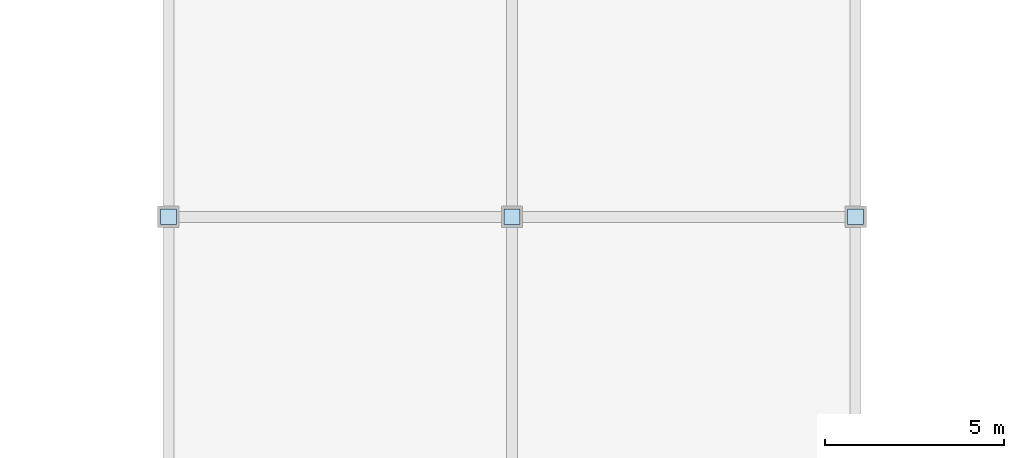
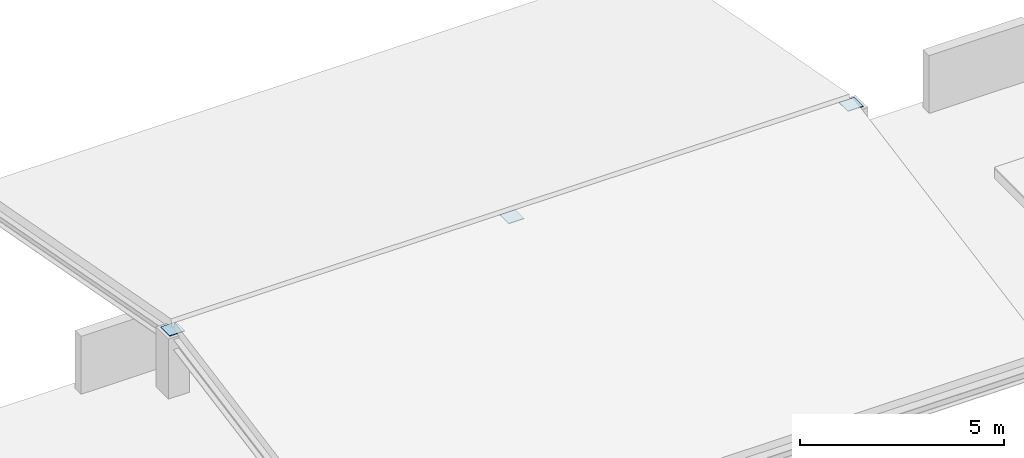
# One storey, part 49 of 70: 3 plates.
"""IFC4 building model written with IfcOpenShell, lengths in metres."""

import ifcopenshell
import ifcopenshell.guid

model = None  # the IFC model being written
_history = None  # IfcOwnerHistory: only IFC2X3 demands one
_inside = {}  # id of a spatial element -> (the spatial element, [elements in it])
_under = {}  # id of a project, library or spatial element -> (it, [spatial elements below it])
_declared = {}  # id of a project -> (the project, [libraries it declares])
_typed = {}  # id of a type object -> (the type object, [elements of that type])
_made_of = {}  # id of a material, layer set ... -> (it, [elements and type objects made of it])


def new_model(schema):
    """Start an empty IFC model of exactly this schema.

    Asked for "IFC4X3", IfcOpenShell would pick the latest addendum, in which some entities
    have other attributes; the version numbers below select the first issue.
    IFC2X3 requires an IfcOwnerHistory on every rooted entity: one is made here for all.
    """
    global model, _history
    if schema == "IFC4X3":
        model = ifcopenshell.file(schema_version=(4, 3, 0, 0))
    else:
        model = ifcopenshell.file(schema=schema)
    _inside.clear()
    _under.clear()
    _declared.clear()
    _typed.clear()
    _made_of.clear()
    _history = None
    if model.schema == "IFC2X3":
        org = make("IfcOrganization", Name="unknown")
        user = make(
            "IfcPersonAndOrganization",
            ThePerson=make("IfcPerson", FamilyName="unknown"),
            TheOrganization=org,
        )
        app = make(
            "IfcApplication",
            ApplicationDeveloper=org,
            Version="unknown",
            ApplicationFullName="unknown",
            ApplicationIdentifier="unknown",
        )
        _history = make(
            "IfcOwnerHistory",
            OwningUser=user,
            OwningApplication=app,
            ChangeAction="ADDED",
            CreationDate=0,
        )
    return model


def make(cls, **values):
    """One entity of the class cls with the attributes given. An attribute that is None is left unset."""
    return model.create_entity(
        cls, **{name: value for name, value in values.items() if value is not None}
    )


def rooted(cls, **values):
    """An entity with a GlobalId (a new one), such as an element, a storey or a relation."""
    return make(cls, GlobalId=ifcopenshell.guid.new(), OwnerHistory=_history, **values)


def si_unit(unit_type, name, prefix=None):
    """IfcSIUnit, for example si_unit("LENGTHUNIT", "METRE", prefix="MILLI")."""
    return make("IfcSIUnit", UnitType=unit_type, Prefix=prefix, Name=name)


def assignment(units):
    """IfcUnitAssignment: the units of a project."""
    return None if units is None else make("IfcUnitAssignment", Units=units)


def point(xyz):
    """IfcCartesianPoint."""
    return None if xyz is None else make("IfcCartesianPoint", Coordinates=xyz)


def direction(xyz):
    """IfcDirection."""
    return None if xyz is None else make("IfcDirection", DirectionRatios=xyz)


def frame(location, z_axis=None, x_axis=None):
    """IfcAxis2Placement3D, a coordinate frame: its origin and axes. An axis left out is left unset."""
    return make(
        "IfcAxis2Placement3D",
        Location=point(location),
        Axis=direction(z_axis),
        RefDirection=direction(x_axis),
    )


def frame_2d(location, x_axis=None):
    """IfcAxis2Placement2D, a coordinate frame in the plane: its origin and x axis."""
    return make(
        "IfcAxis2Placement2D", Location=point(location), RefDirection=direction(x_axis)
    )


def origin():
    """The frame at (0, 0, 0) with its axes left unset."""
    return frame((0.0, 0.0, 0.0))


def origin_2d():
    """The frame at (0, 0) in the plane with its x axis left unset."""
    return frame_2d((0.0, 0.0))


def place(relative_to, where):
    """IfcLocalPlacement: puts the frame where relative to a parent placement (None: the world)."""
    return make(
        "IfcLocalPlacement", PlacementRelTo=relative_to, RelativePlacement=where
    )


def context(
    kind, dimensions, precision=None, world=None, true_north=None, identifier=None
):
    """IfcGeometricRepresentationContext, for example the 3D "Model" context."""
    return make(
        "IfcGeometricRepresentationContext",
        ContextIdentifier=identifier,
        ContextType=kind,
        CoordinateSpaceDimension=dimensions,
        Precision=precision,
        WorldCoordinateSystem=world,
        TrueNorth=true_north,
    )


def subcontext(parent, identifier, kind, view, scale=None):
    """IfcGeometricRepresentationSubContext, for example "Body" below "Model"."""
    return make(
        "IfcGeometricRepresentationSubContext",
        ContextIdentifier=identifier,
        ContextType=kind,
        ParentContext=parent,
        TargetScale=scale,
        TargetView=view,
    )


def project(units=None, contexts=None):
    """IfcProject with its units and contexts."""
    return rooted(
        "IfcProject",
        Name="project",
        RepresentationContexts=contexts,
        UnitsInContext=assignment(units),
    )


def spatial(cls, under=None, at=None, **own):
    """A site, building, storey or space (cls), placed at a placement, below another one or the project."""
    s = rooted(cls, ObjectPlacement=at, **own)
    if under is not None:
        _under.setdefault(under.id(), (under, []))[1].append(s)
    return s


def profile(cls, at=None, kind="AREA", **sizes):
    """A parametric profile (cls). Its sizes go by their IFC names, for example OverallWidth=200.0."""
    return make(cls, ProfileType=kind, Position=at, **sizes)


def rectangle(**sizes):
    """IfcRectangleProfileDef."""
    return profile("IfcRectangleProfileDef", **sizes)


def extrude(swept, where, along, depth):
    """IfcExtrudedAreaSolid: the profile swept, set in the frame where, extruded along a direction by depth."""
    return make(
        "IfcExtrudedAreaSolid",
        SweptArea=swept,
        Position=where,
        ExtrudedDirection=direction(along),
        Depth=depth,
    )


def shape(context_of_items, identifier, shape_type, items):
    """IfcShapeRepresentation: the items that make up one representation, for example the "Body"."""
    return make(
        "IfcShapeRepresentation",
        ContextOfItems=context_of_items,
        RepresentationIdentifier=identifier,
        RepresentationType=shape_type,
        Items=items,
    )


def material(Name=None, Category=None):
    """IfcMaterial."""
    return make("IfcMaterial", Name=Name, Category=Category)


def layer(
    of_material, thickness, ventilated=None, Name=None, Category=None, Priority=None
):
    """IfcMaterialLayer: one layer of a wall or slab, of a material (None: an air gap)."""
    return make(
        "IfcMaterialLayer",
        Material=of_material,
        LayerThickness=thickness,
        IsVentilated=ventilated,
        Name=Name,
        Category=Category,
        Priority=Priority,
    )


def layer_set(layers, Name=None):
    """IfcMaterialLayerSet."""
    return make("IfcMaterialLayerSet", MaterialLayers=layers, LayerSetName=Name)


def made_of(thing, what):
    """Note that an element or type object is made of a material, layer set ...; save() writes the relation."""
    if what is not None:
        _made_of.setdefault(what.id(), (what, []))[1].append(thing)
    return thing


def type_object(cls, material=None, **own):
    """A type object (cls), such as IfcWallType, which elements share."""
    return made_of(rooted(cls, **own), material)


def element(
    cls,
    number,
    at=None,
    inside=None,
    cuts=None,
    type_object=None,
    material=None,
    context=None,
    identifier="Body",
    shape_type=None,
    held_by="IfcProductDefinitionShape",
    body=None,
    shapes=None,
    **own,
):
    """One element of the class cls, such as IfcWall. Its Tag is "e" and its number.

    at: its placement. inside: the storey or other place that contains it. cuts: it is an
    opening in that element (IfcRelVoidsElement). A single representation is given by context,
    identifier, shape_type and body (its items); several are given by shapes. held_by: the class
    of the entity that holds the representations. save() writes the other relations.
    """
    e = rooted(cls, Tag="e%d" % number, ObjectPlacement=at, **own)
    if body is not None:
        shapes = [shape(context, identifier, shape_type, body)]
    if shapes is not None:
        e.Representation = make(held_by, Representations=shapes)
    if inside is not None:
        _inside.setdefault(inside.id(), (inside, []))[1].append(e)
    if cuts is not None:
        rooted(
            "IfcRelVoidsElement", RelatingBuildingElement=cuts, RelatedOpeningElement=e
        )
    if type_object is not None:
        _typed.setdefault(type_object.id(), (type_object, []))[1].append(e)
    return made_of(e, material)


def aggregate(whole, parts):
    """IfcRelAggregates: a whole, such as a stair, and the parts it consists of."""
    return rooted("IfcRelAggregates", RelatingObject=whole, RelatedObjects=parts)


def save(model, path):
    """Write the relations noted so far, then the file.

    IfcRelAggregates (storeys below a building ...), IfcRelContainedInSpatialStructure (elements
    in a storey), IfcRelDefinesByType, IfcRelAssociatesMaterial and IfcRelDeclares: one each for
    every whole, place, type object, material and project.
    """
    for whole, parts in _under.values():
        aggregate(whole, parts)
    for where, things in _inside.values():
        rooted(
            "IfcRelContainedInSpatialStructure",
            RelatedElements=things,
            RelatingStructure=where,
        )
    for kind, things in _typed.values():
        rooted("IfcRelDefinesByType", RelatedObjects=things, RelatingType=kind)
    for what, things in _made_of.values():
        rooted("IfcRelAssociatesMaterial", RelatedObjects=things, RelatingMaterial=what)
    for by, libraries in _declared.values():
        rooted("IfcRelDeclares", RelatingContext=by, RelatedDefinitions=libraries)
    model.write(path)


model = new_model("IFC4")

# Units and contexts
model_context = context("Model", 3, precision=1e-05, world=origin(), true_north=direction((0.0, 1.0)))
body_context = subcontext(model_context, "Body", "Model", "MODEL_VIEW")
ifc_project = project(units=[si_unit("LENGTHUNIT", "METRE"), si_unit("AREAUNIT", "SQUARE_METRE"), si_unit("VOLUMEUNIT", "CUBIC_METRE"), si_unit("PLANEANGLEUNIT", "RADIAN"), si_unit("MASSUNIT", "GRAM", prefix="KILO")], contexts=[model_context])

# Site, building, storey
site_placement = place(None, origin())
site = spatial("IfcSite", under=ifc_project, at=site_placement, CompositionType="ELEMENT")
building_placement = place(site_placement, origin())
building = spatial("IfcBuilding", under=site, at=building_placement, Name="Mavantir Sound Aquarium", CompositionType="ELEMENT")
storey_placement = place(building_placement, frame((0.0, 0.0, 27.0)))
storey = spatial("IfcBuildingStorey", under=building, at=storey_placement, Name="RF", CompositionType="ELEMENT", Elevation=27.0)

# Plates
ifc_material = material(Name="Structural Steel ASTM A572 Gr50", Category="steel")
ifc_layer = layer(ifc_material, 0.02001953125, Name="Structural Steel ASTM A572 Gr50")
ifc_layer_set = layer_set([ifc_layer], Name="Structural Steel ASTM A572 Gr50")
plate_type = type_object("IfcPlateType", Name="PLT-ENDCAP-20", PredefinedType="SHEET", material=ifc_layer_set)
for number, where, z_axis, x_axis, name in (
    (1, (108.0, 9.60009765625, -5.39990234375), (0.0, 0.0, 1.0), (1.0, 0.0, 0.0), "Pavilion roof post cap 43"),
    (2, (117.60009765625, 9.60009765625, -5.39990234375), (0.0, 0.0, 1.0), (1.0, 0.0, 0.0), "Pavilion roof post cap 44"),
    (3, (127.199951171875, 9.60009765625, -5.39990234375), (0.0, 0.0, 1.0), (1.0, 0.0, 0.0), "Pavilion roof post cap 45"),
):
    element("IfcPlate", number, at=place(storey_placement, frame(where, z_axis=z_axis, x_axis=x_axis)), inside=storey, type_object=plate_type, Name=name, PredefinedType="SHEET", context=body_context, shape_type="SweptSolid", body=[
        extrude(rectangle(XDim=0.43994140625, YDim=0.43994140625, at=origin_2d()), origin(), (0.0, 0.0, 1.0), 0.02001953125),
    ])

save(model, "model.ifc")
